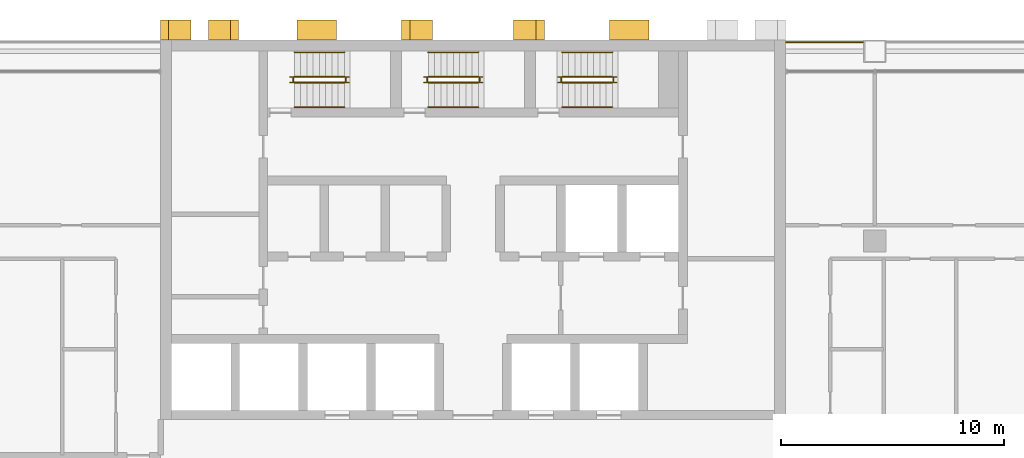
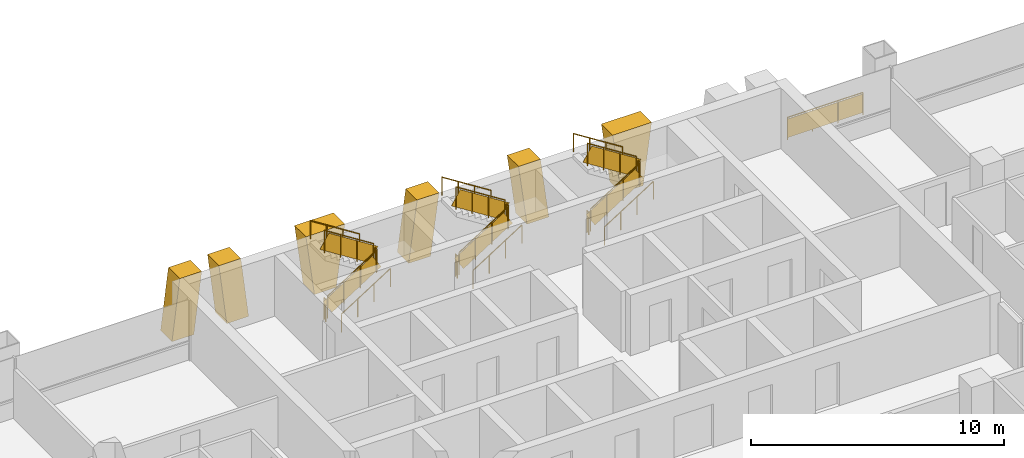
# One storey, part 17 of 18: 19 railings, 6 shading devices.
"""IFC4 building model written with IfcOpenShell, lengths in metres."""

from ifc_helpers import new_model, si_unit, direction, frame, origin, origin_2d, place, context, subcontext, project, spatial, polyline, rectangle, circle, outline, extrude, material, layer, layer_set, type_object, element, save


model = new_model("IFC4")

# Units and contexts
model_context = context("Model", 3, precision=1e-05, world=origin(), true_north=direction((0.0, 1.0)))
body_context = subcontext(model_context, "Body", "Model", "MODEL_VIEW")
ifc_project = project(units=[si_unit("LENGTHUNIT", "METRE"), si_unit("AREAUNIT", "SQUARE_METRE"), si_unit("VOLUMEUNIT", "CUBIC_METRE"), si_unit("PLANEANGLEUNIT", "RADIAN"), si_unit("MASSUNIT", "GRAM", prefix="KILO")], contexts=[model_context])

# Site, building, storey
site_placement = place(None, origin())
site = spatial("IfcSite", under=ifc_project, at=site_placement, CompositionType="ELEMENT")
building_placement = place(site_placement, origin())
building = spatial("IfcBuilding", under=site, at=building_placement, Name="Vidyagriha Tower", CompositionType="ELEMENT")
storey_placement = place(building_placement, frame((0.0, 0.0, 41.60009765625)))
storey = spatial("IfcBuildingStorey", under=building, at=storey_placement, Name="L10", CompositionType="ELEMENT", Elevation=41.60009765625)

# Shading devices
ifc_material_1 = material(Name="Precast concrete C40/50 with brick facing", Category="concrete")
ifc_layer_1 = layer(ifc_material_1, 1.0)
ifc_layer_set_1 = layer_set([ifc_layer_1], Name="Precast concrete C40/50 with brick facing")
shading_device_type_1 = type_object("IfcShadingDeviceType", Name="Brick-faced rear rib arm leaning 8 degrees", PredefinedType="USERDEFINED", material=ifc_layer_set_1)
shading_device_1_placement = place(storey_placement, frame((3.199951171875, 20.449951171875, 0.0), z_axis=(0.0, 0.0, 1.0), x_axis=(-1.0, 0.0, 0.0)))
element("IfcShadingDevice", 1, at=shading_device_1_placement, inside=storey, type_object=shading_device_type_1, Name="Rear rib arm L10 R08.3a", ObjectType="BLADE FIN", PredefinedType="USERDEFINED", context=body_context, shape_type="SweptSolid", body=[
    extrude(outline(polyline([(0.0, 0.0), (1.0, 0.0), (1.3857421875, 2.919921875), (0.3857421875, 2.919921875), (0.0, 0.0)])), frame((0.0, 0.449951171875, 0.0), z_axis=(0.0, -1.0, 0.0), x_axis=(1.0, 0.0, 0.0)), (0.0, 0.0, 1.0), 0.89990234375),
])
shading_device_2_placement = place(storey_placement, frame((-1.814208984375, 20.449951171875, 0.0), z_axis=(0.0, 0.0, 1.0), x_axis=(-1.0, 0.0, 0.0)))
element("IfcShadingDevice", 2, at=shading_device_2_placement, inside=storey, type_object=shading_device_type_1, Name="Rear rib arm L10 R08.3b", ObjectType="BLADE FIN", PredefinedType="USERDEFINED", context=body_context, shape_type="SweptSolid", body=[
    extrude(outline(polyline([(0.3857421875, 0.0), (1.3857421875, 0.0), (1.0, 2.919921875), (0.0, 2.919921875), (0.3857421875, 0.0)])), frame((0.0, 0.449951171875, 0.0), z_axis=(0.0, -1.0, 0.0), x_axis=(1.0, 0.0, 0.0)), (0.0, 0.0, 1.0), 0.89990234375),
])
shading_device_3_placement = place(storey_placement, frame((-10.5, 20.449951171875, 0.0), z_axis=(0.0, 0.0, 1.0), x_axis=(-1.0, 0.0, 0.0)))
element("IfcShadingDevice", 3, at=shading_device_3_placement, inside=storey, type_object=shading_device_type_1, Name="Rear rib arm L10 R08.5a", ObjectType="BLADE FIN", PredefinedType="USERDEFINED", context=body_context, shape_type="SweptSolid", body=[
    extrude(outline(polyline([(0.0, 0.0), (1.0, 0.0), (1.357177734375, 2.919921875), (0.357177734375, 2.919921875), (0.0, 0.0)])), frame((0.0, 0.449951171875, 0.0), z_axis=(0.0, -1.0, 0.0), x_axis=(1.0, 0.0, 0.0)), (0.0, 0.0, 1.0), 0.89990234375),
])
shading_device_4_placement = place(storey_placement, frame((-12.642822265625, 20.449951171875, 0.0), z_axis=(0.0, 0.0, 1.0), x_axis=(-1.0, 0.0, 0.0)))
element("IfcShadingDevice", 4, at=shading_device_4_placement, inside=storey, type_object=shading_device_type_1, Name="Rear rib arm L10 R08.5b", ObjectType="BLADE FIN", PredefinedType="USERDEFINED", context=body_context, shape_type="SweptSolid", body=[
    extrude(outline(polyline([(0.357177734375, 0.0), (1.357177734375, 0.0), (1.0, 2.919921875), (0.0, 2.919921875), (0.357177734375, 0.0)])), frame((0.0, 0.449951171875, 0.0), z_axis=(0.0, -1.0, 0.0), x_axis=(1.0, 0.0, 0.0)), (0.0, 0.0, 1.0), 0.89990234375),
])
ifc_material_2 = material(Name="Precast concrete C40/50 with brick facing", Category="concrete")
ifc_layer_2 = layer(ifc_material_2, 1.0)
ifc_layer_set_2 = layer_set([ifc_layer_2], Name="Precast concrete C40/50 with brick facing")
shading_device_type_2 = type_object("IfcShadingDeviceType", Name="Brick-faced rear rib forking 8 degrees", PredefinedType="USERDEFINED", material=ifc_layer_set_2)
for number, where, z_axis, x_axis, name in (
    (5, (7.8857421875, 20.449951171875, 0.0), (0.0, 0.0, 1.0), (-1.0, 0.0, 0.0), "Rear rib fork L10 R08.2a"),
    (6, (-6.1142578125, 20.449951171875, 0.0), (0.0, 0.0, 1.0), (-1.0, 0.0, 0.0), "Rear rib fork L10 R08.4a"),
):
    element("IfcShadingDevice", number, at=place(storey_placement, frame(where, z_axis=z_axis, x_axis=x_axis)), inside=storey, type_object=shading_device_type_2, Name=name, ObjectType="BLADE FIN", PredefinedType="USERDEFINED", context=body_context, shape_type="SweptSolid", body=[
        extrude(outline(polyline([(0.3857421875, 0.0), (1.3857421875, 0.0), (1.771484375, 2.919921875), (0.0, 2.919921875), (0.3857421875, 0.0)])), frame((0.0, 0.449951171875, 0.0), z_axis=(0.0, -1.0, 0.0), x_axis=(1.0, 0.0, 0.0)), (0.0, 0.0, 1.0), 0.89990234375),
    ])

# Railings
ifc_material_3 = material(Name="Steel ASTM A500 Grade C black painted", Category="steel")
railing_type_1 = type_object("IfcRailingType", Name="Gallery guard 1100", PredefinedType="GUARDRAIL", material=ifc_material_3)
railing_1_placement = place(storey_placement, frame((14.030029296875, 19.89990234375, 0.0)))
element("IfcRailing", 7, at=railing_1_placement, inside=storey, type_object=railing_type_1, Name="Gallery guard L10 10", PredefinedType="GUARDRAIL", context=body_context, shape_type="SweptSolid", body=[
    extrude(circle(Radius=0.02490234375, at=origin_2d()), frame((0.0, 0.0, 1.0751953125), z_axis=(1.0, 0.0, 0.0), x_axis=(0.0, 1.0, 0.0)), (0.0, 0.0, 1.0), 3.43994140625),
    extrude(circle(Radius=0.02001953125, at=origin_2d()), origin(), (0.0, 0.0, 1.0), 1.050048828125),
    extrude(circle(Radius=0.02001953125, at=origin_2d()), frame((1.146728515625, 0.0, 0.0)), (0.0, 0.0, 1.0), 1.050048828125),
    extrude(circle(Radius=0.02001953125, at=origin_2d()), frame((2.293212890625, 0.0, 0.0)), (0.0, 0.0, 1.0), 1.050048828125),
    extrude(circle(Radius=0.02001953125, at=origin_2d()), frame((3.43994140625, 0.0, 0.0)), (0.0, 0.0, 1.0), 1.050048828125),
    extrude(rectangle(XDim=0.010009765625, YDim=0.900146484375, at=origin_2d()), frame((0.0, 0.0, 0.550048828125), z_axis=(1.0, 0.0, 0.0), x_axis=(0.0, 1.0, 0.0)), (0.0, 0.0, 1.0), 3.43994140625),
])
ifc_material_4 = material(Name="Steel ASTM A500 Grade C", Category="steel")
railing_type_2 = type_object("IfcRailingType", Name="Stair guard 1100 mm, steel balustrade", PredefinedType="GUARDRAIL", material=ifc_material_4)
railing_2_placement = place(storey_placement, frame((-8.0, 18.10009765625, 0.177734375)))
element("IfcRailing", 8, at=railing_2_placement, inside=storey, type_object=railing_type_2, Name="L10 ST1 stair guard 1", PredefinedType="GUARDRAIL", context=body_context, shape_type="SweptSolid", body=[
    extrude(circle(Radius=0.02392578125, at=origin_2d()), frame((0.0, 0.0, 1.076171875), z_axis=(0.8442293374, 0.0, 0.53598211339), x_axis=(0.0, 1.0, 0.0)), (0.0, 0.0, 1.0), 2.6533203125),
    extrude(circle(Radius=0.02099609375, at=origin_2d()), origin(), (0.0, 0.0, 1.0), 1.052001953125),
    extrude(circle(Radius=0.02099609375, at=origin_2d()), frame((0.74658203125, 0.0, 0.47412109375)), (0.0, 0.0, 1.0), 1.052001953125),
    extrude(circle(Radius=0.02099609375, at=origin_2d()), frame((1.493408203125, 0.0, 0.947998046875)), (0.0, 0.0, 1.0), 1.052001953125),
    extrude(circle(Radius=0.02099609375, at=origin_2d()), frame((2.239990234375, 0.0, 1.422119140625)), (0.0, 0.0, 1.0), 1.052001953125),
    extrude(rectangle(XDim=0.010009765625, YDim=0.761474609375, at=origin_2d()), frame((0.0, 0.0, 0.551025390625), z_axis=(0.8442293374, 0.0, 0.53598211339), x_axis=(0.0, 1.0, 0.0)), (0.0, 0.0, 1.0), 2.6533203125),
])
railing_3_placement = place(storey_placement, frame((-5.7099609375, 18.14990234375, 1.599853515625)))
element("IfcRailing", 9, at=railing_3_placement, inside=storey, type_object=railing_type_2, Name="L10 ST1 stair guard 2", PredefinedType="GUARDRAIL", context=body_context, shape_type="SweptSolid", body=[
    extrude(circle(Radius=0.02392578125, at=origin_2d()), frame((0.0, 0.0, 1.076171875), z_axis=(0.0, 1.0, 0.0), x_axis=(-1.0, 0.0, 0.0)), (0.0, 0.0, 1.0), 0.150146484375),
    extrude(circle(Radius=0.02099609375, at=origin_2d()), origin(), (0.0, 0.0, 1.0), 1.052001953125),
    extrude(circle(Radius=0.02099609375, at=origin_2d()), frame((0.0, 0.150146484375, 0.0)), (0.0, 0.0, 1.0), 1.052001953125),
    extrude(rectangle(XDim=0.010009765625, YDim=0.902099609375, at=origin_2d()), frame((0.0, 0.0, 0.551025390625), z_axis=(0.0, 1.0, 0.0), x_axis=(-1.0, 0.0, 0.0)), (0.0, 0.0, 1.0), 0.150146484375),
])
railing_4_placement = place(storey_placement, frame((-5.760009765625, 18.35009765625, 1.777587890625)))
element("IfcRailing", 10, at=railing_4_placement, inside=storey, type_object=railing_type_2, Name="L10 ST1 stair guard 3", PredefinedType="GUARDRAIL", context=body_context, shape_type="SweptSolid", body=[
    extrude(circle(Radius=0.02392578125, at=origin_2d()), frame((0.0, 0.0, 1.076171875), z_axis=(-0.84418770128, 0.0, 0.536047689118), x_axis=(0.0, -1.0, 0.0)), (0.0, 0.0, 1.0), 2.6533203125),
    extrude(circle(Radius=0.02099609375, at=origin_2d()), origin(), (0.0, 0.0, 1.0), 1.052001953125),
    extrude(circle(Radius=0.02099609375, at=origin_2d()), frame((-0.74658203125, 0.0, 0.47412109375)), (0.0, 0.0, 1.0), 1.052001953125),
    extrude(circle(Radius=0.02099609375, at=origin_2d()), frame((-1.493408203125, 0.0, 0.9482421875)), (0.0, 0.0, 1.0), 1.052001953125),
    extrude(circle(Radius=0.02099609375, at=origin_2d()), frame((-2.239990234375, 0.0, 1.42236328125)), (0.0, 0.0, 1.0), 1.052001953125),
    extrude(rectangle(XDim=0.010009765625, YDim=0.761474609375, at=origin_2d()), frame((0.0, 0.0, 0.551025390625), z_axis=(-0.84418770128, 0.0, 0.536047689118), x_axis=(0.0, -1.0, 0.0)), (0.0, 0.0, 1.0), 2.6533203125),
])
railing_5_placement = place(storey_placement, frame((-8.050048828125, 18.14990234375, 0.0)))
element("IfcRailing", 11, at=railing_5_placement, inside=storey, type_object=railing_type_2, Name="L10 ST1 stair guard 4", PredefinedType="GUARDRAIL", context=body_context, shape_type="SweptSolid", body=[
    extrude(circle(Radius=0.02392578125, at=origin_2d()), frame((0.0, 0.0, 1.076171875), z_axis=(0.0, 1.0, 0.0), x_axis=(-1.0, 0.0, 0.0)), (0.0, 0.0, 1.0), 0.150146484375),
    extrude(circle(Radius=0.02099609375, at=origin_2d()), origin(), (0.0, 0.0, 1.0), 1.052001953125),
    extrude(circle(Radius=0.02099609375, at=origin_2d()), frame((0.0, 0.150146484375, 0.0)), (0.0, 0.0, 1.0), 1.052001953125),
    extrude(rectangle(XDim=0.010009765625, YDim=0.902099609375, at=origin_2d()), frame((0.0, 0.0, 0.551025390625), z_axis=(0.0, 1.0, 0.0), x_axis=(-1.0, 0.0, 0.0)), (0.0, 0.0, 1.0), 0.150146484375),
])
railing_6_placement = place(storey_placement, frame((-2.0, 18.10009765625, 0.177734375)))
element("IfcRailing", 12, at=railing_6_placement, inside=storey, type_object=railing_type_2, Name="L10 ST2 stair guard 1", PredefinedType="GUARDRAIL", context=body_context, shape_type="SweptSolid", body=[
    extrude(circle(Radius=0.02392578125, at=origin_2d()), frame((0.0, 0.0, 1.076171875), z_axis=(0.8442293374, 0.0, 0.53598211339), x_axis=(0.0, 1.0, 0.0)), (0.0, 0.0, 1.0), 2.6533203125),
    extrude(circle(Radius=0.02099609375, at=origin_2d()), origin(), (0.0, 0.0, 1.0), 1.052001953125),
    extrude(circle(Radius=0.02099609375, at=origin_2d()), frame((0.74658203125, 0.0, 0.47412109375)), (0.0, 0.0, 1.0), 1.052001953125),
    extrude(circle(Radius=0.02099609375, at=origin_2d()), frame((1.493408203125, 0.0, 0.947998046875)), (0.0, 0.0, 1.0), 1.052001953125),
    extrude(circle(Radius=0.02099609375, at=origin_2d()), frame((2.239990234375, 0.0, 1.422119140625)), (0.0, 0.0, 1.0), 1.052001953125),
    extrude(rectangle(XDim=0.010009765625, YDim=0.761474609375, at=origin_2d()), frame((0.0, 0.0, 0.551025390625), z_axis=(0.8442293374, 0.0, 0.53598211339), x_axis=(0.0, 1.0, 0.0)), (0.0, 0.0, 1.0), 2.6533203125),
])
railing_7_placement = place(storey_placement, frame((0.2900390625, 18.14990234375, 1.599853515625)))
element("IfcRailing", 13, at=railing_7_placement, inside=storey, type_object=railing_type_2, Name="L10 ST2 stair guard 2", PredefinedType="GUARDRAIL", context=body_context, shape_type="SweptSolid", body=[
    extrude(circle(Radius=0.02392578125, at=origin_2d()), frame((0.0, 0.0, 1.076171875), z_axis=(0.0, 1.0, 0.0), x_axis=(-1.0, 0.0, 0.0)), (0.0, 0.0, 1.0), 0.150146484375),
    extrude(circle(Radius=0.02099609375, at=origin_2d()), origin(), (0.0, 0.0, 1.0), 1.052001953125),
    extrude(circle(Radius=0.02099609375, at=origin_2d()), frame((0.0, 0.150146484375, 0.0)), (0.0, 0.0, 1.0), 1.052001953125),
    extrude(rectangle(XDim=0.010009765625, YDim=0.902099609375, at=origin_2d()), frame((0.0, 0.0, 0.551025390625), z_axis=(0.0, 1.0, 0.0), x_axis=(-1.0, 0.0, 0.0)), (0.0, 0.0, 1.0), 0.150146484375),
])
railing_8_placement = place(storey_placement, frame((0.239990234375, 18.35009765625, 1.777587890625)))
element("IfcRailing", 14, at=railing_8_placement, inside=storey, type_object=railing_type_2, Name="L10 ST2 stair guard 3", PredefinedType="GUARDRAIL", context=body_context, shape_type="SweptSolid", body=[
    extrude(circle(Radius=0.02392578125, at=origin_2d()), frame((0.0, 0.0, 1.076171875), z_axis=(-0.84418770128, 0.0, 0.536047689118), x_axis=(0.0, -1.0, 0.0)), (0.0, 0.0, 1.0), 2.6533203125),
    extrude(circle(Radius=0.02099609375, at=origin_2d()), origin(), (0.0, 0.0, 1.0), 1.052001953125),
    extrude(circle(Radius=0.02099609375, at=origin_2d()), frame((-0.74658203125, 0.0, 0.47412109375)), (0.0, 0.0, 1.0), 1.052001953125),
    extrude(circle(Radius=0.02099609375, at=origin_2d()), frame((-1.493408203125, 0.0, 0.9482421875)), (0.0, 0.0, 1.0), 1.052001953125),
    extrude(circle(Radius=0.02099609375, at=origin_2d()), frame((-2.239990234375, 0.0, 1.42236328125)), (0.0, 0.0, 1.0), 1.052001953125),
    extrude(rectangle(XDim=0.010009765625, YDim=0.761474609375, at=origin_2d()), frame((0.0, 0.0, 0.551025390625), z_axis=(-0.84418770128, 0.0, 0.536047689118), x_axis=(0.0, -1.0, 0.0)), (0.0, 0.0, 1.0), 2.6533203125),
])
railing_9_placement = place(storey_placement, frame((-2.050048828125, 18.14990234375, 0.0)))
element("IfcRailing", 15, at=railing_9_placement, inside=storey, type_object=railing_type_2, Name="L10 ST2 stair guard 4", PredefinedType="GUARDRAIL", context=body_context, shape_type="SweptSolid", body=[
    extrude(circle(Radius=0.02392578125, at=origin_2d()), frame((0.0, 0.0, 1.076171875), z_axis=(0.0, 1.0, 0.0), x_axis=(-1.0, 0.0, 0.0)), (0.0, 0.0, 1.0), 0.150146484375),
    extrude(circle(Radius=0.02099609375, at=origin_2d()), origin(), (0.0, 0.0, 1.0), 1.052001953125),
    extrude(circle(Radius=0.02099609375, at=origin_2d()), frame((0.0, 0.150146484375, 0.0)), (0.0, 0.0, 1.0), 1.052001953125),
    extrude(rectangle(XDim=0.010009765625, YDim=0.902099609375, at=origin_2d()), frame((0.0, 0.0, 0.551025390625), z_axis=(0.0, 1.0, 0.0), x_axis=(-1.0, 0.0, 0.0)), (0.0, 0.0, 1.0), 0.150146484375),
])
railing_10_placement = place(storey_placement, frame((4.0, 18.10009765625, 0.177734375)))
element("IfcRailing", 16, at=railing_10_placement, inside=storey, type_object=railing_type_2, Name="L10 ST3 stair guard 1", PredefinedType="GUARDRAIL", context=body_context, shape_type="SweptSolid", body=[
    extrude(circle(Radius=0.02392578125, at=origin_2d()), frame((0.0, 0.0, 1.076171875), z_axis=(0.8442293374, 0.0, 0.53598211339), x_axis=(0.0, 1.0, 0.0)), (0.0, 0.0, 1.0), 2.6533203125),
    extrude(circle(Radius=0.02099609375, at=origin_2d()), origin(), (0.0, 0.0, 1.0), 1.052001953125),
    extrude(circle(Radius=0.02099609375, at=origin_2d()), frame((0.74658203125, 0.0, 0.47412109375)), (0.0, 0.0, 1.0), 1.052001953125),
    extrude(circle(Radius=0.02099609375, at=origin_2d()), frame((1.493408203125, 0.0, 0.947998046875)), (0.0, 0.0, 1.0), 1.052001953125),
    extrude(circle(Radius=0.02099609375, at=origin_2d()), frame((2.239990234375, 0.0, 1.422119140625)), (0.0, 0.0, 1.0), 1.052001953125),
    extrude(rectangle(XDim=0.010009765625, YDim=0.761474609375, at=origin_2d()), frame((0.0, 0.0, 0.551025390625), z_axis=(0.8442293374, 0.0, 0.53598211339), x_axis=(0.0, 1.0, 0.0)), (0.0, 0.0, 1.0), 2.6533203125),
])
railing_11_placement = place(storey_placement, frame((6.2900390625, 18.14990234375, 1.599853515625)))
element("IfcRailing", 17, at=railing_11_placement, inside=storey, type_object=railing_type_2, Name="L10 ST3 stair guard 2", PredefinedType="GUARDRAIL", context=body_context, shape_type="SweptSolid", body=[
    extrude(circle(Radius=0.02392578125, at=origin_2d()), frame((0.0, 0.0, 1.076171875), z_axis=(0.0, 1.0, 0.0), x_axis=(-1.0, 0.0, 0.0)), (0.0, 0.0, 1.0), 0.150146484375),
    extrude(circle(Radius=0.02099609375, at=origin_2d()), origin(), (0.0, 0.0, 1.0), 1.052001953125),
    extrude(circle(Radius=0.02099609375, at=origin_2d()), frame((0.0, 0.150146484375, 0.0)), (0.0, 0.0, 1.0), 1.052001953125),
    extrude(rectangle(XDim=0.010009765625, YDim=0.902099609375, at=origin_2d()), frame((0.0, 0.0, 0.551025390625), z_axis=(0.0, 1.0, 0.0), x_axis=(-1.0, 0.0, 0.0)), (0.0, 0.0, 1.0), 0.150146484375),
])
railing_12_placement = place(storey_placement, frame((6.239990234375, 18.35009765625, 1.777587890625)))
element("IfcRailing", 18, at=railing_12_placement, inside=storey, type_object=railing_type_2, Name="L10 ST3 stair guard 3", PredefinedType="GUARDRAIL", context=body_context, shape_type="SweptSolid", body=[
    extrude(circle(Radius=0.02392578125, at=origin_2d()), frame((0.0, 0.0, 1.076171875), z_axis=(-0.84418770128, 0.0, 0.536047689118), x_axis=(0.0, -1.0, 0.0)), (0.0, 0.0, 1.0), 2.6533203125),
    extrude(circle(Radius=0.02099609375, at=origin_2d()), origin(), (0.0, 0.0, 1.0), 1.052001953125),
    extrude(circle(Radius=0.02099609375, at=origin_2d()), frame((-0.74658203125, 0.0, 0.47412109375)), (0.0, 0.0, 1.0), 1.052001953125),
    extrude(circle(Radius=0.02099609375, at=origin_2d()), frame((-1.493408203125, 0.0, 0.9482421875)), (0.0, 0.0, 1.0), 1.052001953125),
    extrude(circle(Radius=0.02099609375, at=origin_2d()), frame((-2.239990234375, 0.0, 1.42236328125)), (0.0, 0.0, 1.0), 1.052001953125),
    extrude(rectangle(XDim=0.010009765625, YDim=0.761474609375, at=origin_2d()), frame((0.0, 0.0, 0.551025390625), z_axis=(-0.84418770128, 0.0, 0.536047689118), x_axis=(0.0, -1.0, 0.0)), (0.0, 0.0, 1.0), 2.6533203125),
])
railing_13_placement = place(storey_placement, frame((3.949951171875, 18.14990234375, 0.0)))
element("IfcRailing", 19, at=railing_13_placement, inside=storey, type_object=railing_type_2, Name="L10 ST3 stair guard 4", PredefinedType="GUARDRAIL", context=body_context, shape_type="SweptSolid", body=[
    extrude(circle(Radius=0.02392578125, at=origin_2d()), frame((0.0, 0.0, 1.076171875), z_axis=(0.0, 1.0, 0.0), x_axis=(-1.0, 0.0, 0.0)), (0.0, 0.0, 1.0), 0.150146484375),
    extrude(circle(Radius=0.02099609375, at=origin_2d()), origin(), (0.0, 0.0, 1.0), 1.052001953125),
    extrude(circle(Radius=0.02099609375, at=origin_2d()), frame((0.0, 0.150146484375, 0.0)), (0.0, 0.0, 1.0), 1.052001953125),
    extrude(rectangle(XDim=0.010009765625, YDim=0.902099609375, at=origin_2d()), frame((0.0, 0.0, 0.551025390625), z_axis=(0.0, 1.0, 0.0), x_axis=(-1.0, 0.0, 0.0)), (0.0, 0.0, 1.0), 0.150146484375),
])
ifc_material_5 = material(Name="Steel ASTM A500 Grade C", Category="steel")
railing_type_3 = type_object("IfcRailingType", Name="Stair handrail 900 mm, steel", PredefinedType="HANDRAIL", material=ifc_material_5)
railing_14_placement = place(storey_placement, frame((-8.0, 17.0, 0.177734375)))
element("IfcRailing", 20, at=railing_14_placement, inside=storey, type_object=railing_type_3, Name="L10 ST1 stair handrail 1", PredefinedType="HANDRAIL", context=body_context, shape_type="SweptSolid", body=[
    extrude(circle(Radius=0.02392578125, at=origin_2d()), frame((0.0, 0.0, 0.8759765625), z_axis=(0.8442293374, 0.0, 0.53598211339), x_axis=(0.0, 1.0, 0.0)), (0.0, 0.0, 1.0), 2.6533203125),
    extrude(circle(Radius=0.02099609375, at=origin_2d()), origin(), (0.0, 0.0, 1.0), 0.851806640625),
    extrude(circle(Radius=0.02099609375, at=origin_2d()), frame((0.74658203125, 0.0, 0.47412109375)), (0.0, 0.0, 1.0), 0.851806640625),
    extrude(circle(Radius=0.02099609375, at=origin_2d()), frame((1.493408203125, 0.0, 0.947998046875)), (0.0, 0.0, 1.0), 0.851806640625),
    extrude(circle(Radius=0.02099609375, at=origin_2d()), frame((2.239990234375, 0.0, 1.422119140625)), (0.0, 0.0, 1.0), 0.851806640625),
])
railing_15_placement = place(storey_placement, frame((-5.760009765625, 19.449951171875, 1.777587890625)))
element("IfcRailing", 21, at=railing_15_placement, inside=storey, type_object=railing_type_3, Name="L10 ST1 stair handrail 2", PredefinedType="HANDRAIL", context=body_context, shape_type="SweptSolid", body=[
    extrude(circle(Radius=0.02392578125, at=origin_2d()), frame((0.0, 0.0, 0.8759765625), z_axis=(-0.84418770128, 0.0, 0.536047689118), x_axis=(0.0, -1.0, 0.0)), (0.0, 0.0, 1.0), 2.6533203125),
    extrude(circle(Radius=0.02099609375, at=origin_2d()), origin(), (0.0, 0.0, 1.0), 0.851806640625),
    extrude(circle(Radius=0.02099609375, at=origin_2d()), frame((-0.74658203125, 0.0, 0.47412109375)), (0.0, 0.0, 1.0), 0.851806640625),
    extrude(circle(Radius=0.02099609375, at=origin_2d()), frame((-1.493408203125, 0.0, 0.9482421875)), (0.0, 0.0, 1.0), 0.851806640625),
    extrude(circle(Radius=0.02099609375, at=origin_2d()), frame((-2.239990234375, 0.0, 1.42236328125)), (0.0, 0.0, 1.0), 0.851806640625),
])
railing_16_placement = place(storey_placement, frame((-2.0, 17.0, 0.177734375)))
element("IfcRailing", 22, at=railing_16_placement, inside=storey, type_object=railing_type_3, Name="L10 ST2 stair handrail 1", PredefinedType="HANDRAIL", context=body_context, shape_type="SweptSolid", body=[
    extrude(circle(Radius=0.02392578125, at=origin_2d()), frame((0.0, 0.0, 0.8759765625), z_axis=(0.8442293374, 0.0, 0.53598211339), x_axis=(0.0, 1.0, 0.0)), (0.0, 0.0, 1.0), 2.6533203125),
    extrude(circle(Radius=0.02099609375, at=origin_2d()), origin(), (0.0, 0.0, 1.0), 0.851806640625),
    extrude(circle(Radius=0.02099609375, at=origin_2d()), frame((0.74658203125, 0.0, 0.47412109375)), (0.0, 0.0, 1.0), 0.851806640625),
    extrude(circle(Radius=0.02099609375, at=origin_2d()), frame((1.493408203125, 0.0, 0.947998046875)), (0.0, 0.0, 1.0), 0.851806640625),
    extrude(circle(Radius=0.02099609375, at=origin_2d()), frame((2.239990234375, 0.0, 1.422119140625)), (0.0, 0.0, 1.0), 0.851806640625),
])
railing_17_placement = place(storey_placement, frame((0.239990234375, 19.449951171875, 1.777587890625)))
element("IfcRailing", 23, at=railing_17_placement, inside=storey, type_object=railing_type_3, Name="L10 ST2 stair handrail 2", PredefinedType="HANDRAIL", context=body_context, shape_type="SweptSolid", body=[
    extrude(circle(Radius=0.02392578125, at=origin_2d()), frame((0.0, 0.0, 0.8759765625), z_axis=(-0.84418770128, 0.0, 0.536047689118), x_axis=(0.0, -1.0, 0.0)), (0.0, 0.0, 1.0), 2.6533203125),
    extrude(circle(Radius=0.02099609375, at=origin_2d()), origin(), (0.0, 0.0, 1.0), 0.851806640625),
    extrude(circle(Radius=0.02099609375, at=origin_2d()), frame((-0.74658203125, 0.0, 0.47412109375)), (0.0, 0.0, 1.0), 0.851806640625),
    extrude(circle(Radius=0.02099609375, at=origin_2d()), frame((-1.493408203125, 0.0, 0.9482421875)), (0.0, 0.0, 1.0), 0.851806640625),
    extrude(circle(Radius=0.02099609375, at=origin_2d()), frame((-2.239990234375, 0.0, 1.42236328125)), (0.0, 0.0, 1.0), 0.851806640625),
])
railing_18_placement = place(storey_placement, frame((4.0, 17.0, 0.177734375)))
element("IfcRailing", 24, at=railing_18_placement, inside=storey, type_object=railing_type_3, Name="L10 ST3 stair handrail 1", PredefinedType="HANDRAIL", context=body_context, shape_type="SweptSolid", body=[
    extrude(circle(Radius=0.02392578125, at=origin_2d()), frame((0.0, 0.0, 0.8759765625), z_axis=(0.8442293374, 0.0, 0.53598211339), x_axis=(0.0, 1.0, 0.0)), (0.0, 0.0, 1.0), 2.6533203125),
    extrude(circle(Radius=0.02099609375, at=origin_2d()), origin(), (0.0, 0.0, 1.0), 0.851806640625),
    extrude(circle(Radius=0.02099609375, at=origin_2d()), frame((0.74658203125, 0.0, 0.47412109375)), (0.0, 0.0, 1.0), 0.851806640625),
    extrude(circle(Radius=0.02099609375, at=origin_2d()), frame((1.493408203125, 0.0, 0.947998046875)), (0.0, 0.0, 1.0), 0.851806640625),
    extrude(circle(Radius=0.02099609375, at=origin_2d()), frame((2.239990234375, 0.0, 1.422119140625)), (0.0, 0.0, 1.0), 0.851806640625),
])
railing_19_placement = place(storey_placement, frame((6.239990234375, 19.449951171875, 1.777587890625)))
element("IfcRailing", 25, at=railing_19_placement, inside=storey, type_object=railing_type_3, Name="L10 ST3 stair handrail 2", PredefinedType="HANDRAIL", context=body_context, shape_type="SweptSolid", body=[
    extrude(circle(Radius=0.02392578125, at=origin_2d()), frame((0.0, 0.0, 0.8759765625), z_axis=(-0.84418770128, 0.0, 0.536047689118), x_axis=(0.0, -1.0, 0.0)), (0.0, 0.0, 1.0), 2.6533203125),
    extrude(circle(Radius=0.02099609375, at=origin_2d()), origin(), (0.0, 0.0, 1.0), 0.851806640625),
    extrude(circle(Radius=0.02099609375, at=origin_2d()), frame((-0.74658203125, 0.0, 0.47412109375)), (0.0, 0.0, 1.0), 0.851806640625),
    extrude(circle(Radius=0.02099609375, at=origin_2d()), frame((-1.493408203125, 0.0, 0.9482421875)), (0.0, 0.0, 1.0), 0.851806640625),
    extrude(circle(Radius=0.02099609375, at=origin_2d()), frame((-2.239990234375, 0.0, 1.42236328125)), (0.0, 0.0, 1.0), 0.851806640625),
])

save(model, "model.ifc")
